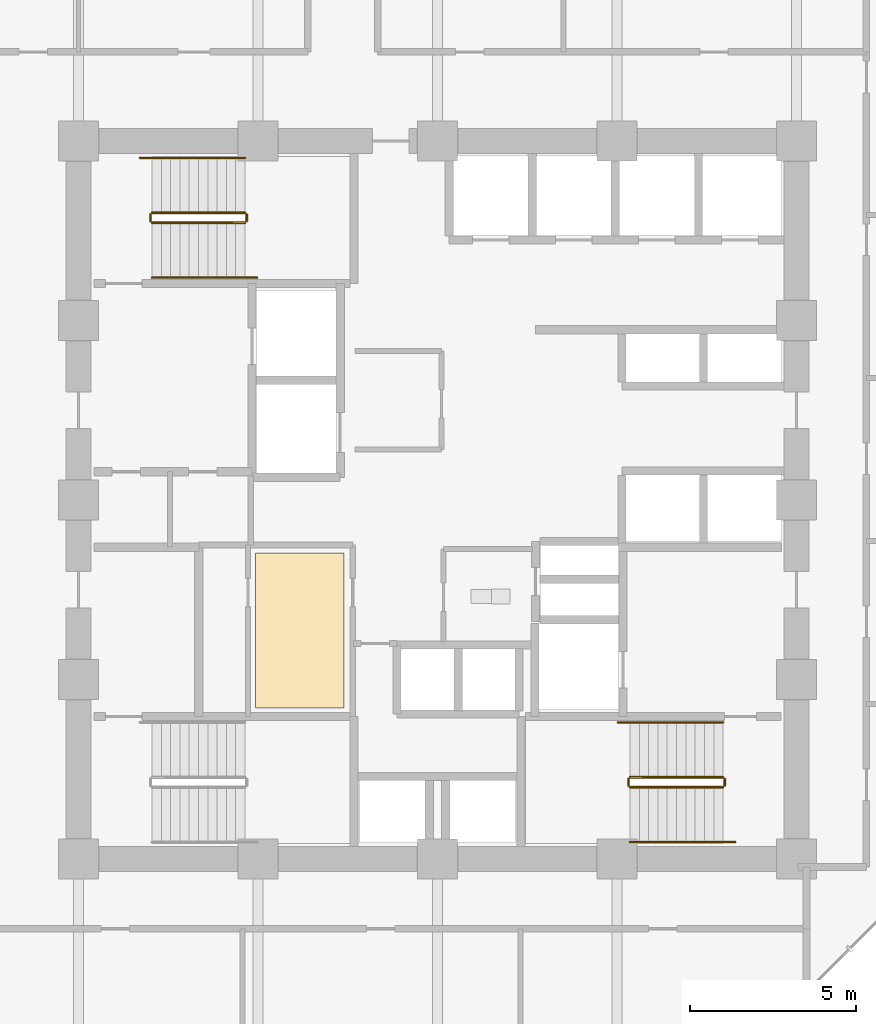
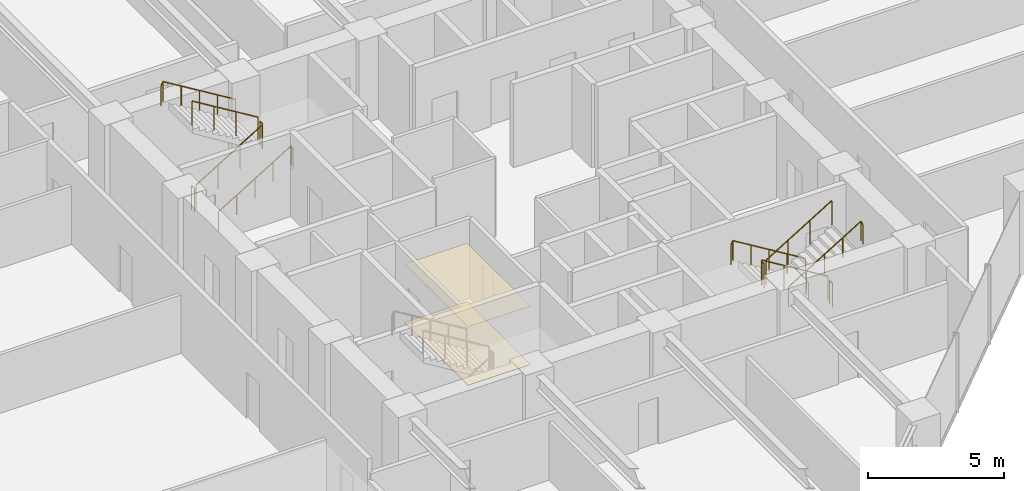
# One storey, part 25 of 26: 12 railings, 2 coverings.
"""IFC4 building model written with IfcOpenShell, lengths in metres."""

from ifc_helpers import new_model, si_unit, direction, frame, origin, origin_2d, place, context, subcontext, project, spatial, polyline, circle, outline, extrude, material, layer, layer_set, type_object, element, save


model = new_model("IFC4")

# Units and contexts
model_context = context("Model", 3, precision=1e-05, world=origin(), true_north=direction((0.0, 1.0)))
body_context = subcontext(model_context, "Body", "Model", "MODEL_VIEW")
ifc_project = project(units=[si_unit("LENGTHUNIT", "METRE"), si_unit("AREAUNIT", "SQUARE_METRE"), si_unit("VOLUMEUNIT", "CUBIC_METRE"), si_unit("PLANEANGLEUNIT", "RADIAN"), si_unit("MASSUNIT", "GRAM", prefix="KILO")], contexts=[model_context])

# Site, building, storey
site_placement = place(None, origin())
site = spatial("IfcSite", under=ifc_project, at=site_placement, CompositionType="ELEMENT")
building_placement = place(site_placement, origin())
building = spatial("IfcBuilding", under=site, at=building_placement, Name="Surkhivell Harbour Commons", CompositionType="ELEMENT")
storey_placement = place(building_placement, frame((0.0, 0.0, 71.25)))
storey = spatial("IfcBuildingStorey", under=building, at=storey_placement, Name="L18", CompositionType="ELEMENT", Elevation=71.25)

# Coverings
ifc_material_1 = material(Name="Perforated acoustic mineral-fibre ceiling tile", Category="other")
ifc_layer_1 = layer(ifc_material_1, 0.02490234375)
ifc_layer_set_1 = layer_set([ifc_layer_1], Name="Perforated acoustic mineral-fibre ceiling tile")
covering_type_1 = type_object("IfcCoveringType", Name="COV-CEIL-AC", PredefinedType="CEILING", material=ifc_layer_set_1)
covering_1_placement = place(storey_placement, frame((0.0, 0.0, 2.617919921875)))
element("IfcCovering", 1, at=covering_1_placement, inside=storey, type_object=covering_type_1, Name="L18 Suspended Acoustic Ceiling 1", PredefinedType="CEILING", context=body_context, shape_type="SweptSolid", body=[
    extrude(outline(polyline([(-5.47998046875, -6.260009765625), (-2.820068359375, -6.260009765625), (-2.820068359375, -1.60009765625), (-5.47998046875, -1.60009765625), (-5.47998046875, -6.260009765625)])), origin(), (0.0, 0.0, 1.0), 0.025146484375),
])
ifc_material_2 = material(Name="Engineered acoustic oak timber flooring", Category="wood")
ifc_layer_2 = layer(ifc_material_2, 0.02001953125)
ifc_layer_set_2 = layer_set([ifc_layer_2], Name="Engineered acoustic oak timber flooring")
covering_type_2 = type_object("IfcCoveringType", Name="COV-FLR-TIM", PredefinedType="FLOORING", material=ifc_layer_set_2)
covering_2_placement = place(storey_placement, origin())
element("IfcCovering", 2, at=covering_2_placement, inside=storey, type_object=covering_type_2, Name="L18 Interior Floor Finish 1", PredefinedType="FLOORING", context=body_context, shape_type="SweptSolid", body=[
    extrude(outline(polyline([(-5.47998046875, -6.260009765625), (-2.820068359375, -6.260009765625), (-2.820068359375, -1.60009765625), (-5.47998046875, -1.60009765625), (-5.47998046875, -6.260009765625)])), origin(), (0.0, 0.0, 1.0), 0.02001953125),
])

# Railings
ifc_material_3 = material(Name="Galvanised and painted steel S355 guard rail", Category="steel")
railing_type_1 = type_object("IfcRailingType", Name="RAL-ST-GRD1100", PredefinedType="GUARDRAIL", material=ifc_material_3)
railing_1_placement = place(storey_placement, frame((-8.590087890625, 8.340087890625, 0.17041015625)))
element("IfcRailing", 3, at=railing_1_placement, inside=storey, type_object=railing_type_1, Name="L18 ST1 stair guard 1", PredefinedType="GUARDRAIL", context=body_context, shape_type="SweptSolid", body=[
    extrude(circle(Radius=0.02392578125, at=origin_2d()), frame((0.0, 0.0, 1.076171875), z_axis=(0.854169791009, 0.0, 0.51999420009), x_axis=(0.0, 1.0, 0.0)), (0.0, 0.0, 1.0), 3.278076171875),
    extrude(circle(Radius=0.02099609375, at=origin_2d()), origin(), (0.0, 0.0, 1.0), 1.052001953125),
    extrude(circle(Radius=0.02099609375, at=origin_2d()), frame((0.933349609375, 0.0, 0.568115234375)), (0.0, 0.0, 1.0), 1.052001953125),
    extrude(circle(Radius=0.02099609375, at=origin_2d()), frame((1.86669921875, 0.0, 1.136474609375)), (0.0, 0.0, 1.0), 1.052001953125),
    extrude(circle(Radius=0.02099609375, at=origin_2d()), frame((2.800048828125, 0.0, 1.70458984375)), (0.0, 0.0, 1.0), 1.052001953125),
])
railing_2_placement = place(storey_placement, frame((-5.739990234375, 8.389892578125, 1.875)))
element("IfcRailing", 4, at=railing_2_placement, inside=storey, type_object=railing_type_1, Name="L18 ST1 stair guard 2", PredefinedType="GUARDRAIL", context=body_context, shape_type="SweptSolid", body=[
    extrude(circle(Radius=0.02392578125, at=origin_2d()), frame((0.0, 0.0, 1.076171875), z_axis=(0.0, 1.0, 0.0), x_axis=(-1.0, 0.0, 0.0)), (0.0, 0.0, 1.0), 0.2001953125),
    extrude(circle(Radius=0.02099609375, at=origin_2d()), origin(), (0.0, 0.0, 1.0), 1.052001953125),
    extrude(circle(Radius=0.02099609375, at=origin_2d()), frame((0.0, 0.2001953125, 0.0)), (0.0, 0.0, 1.0), 1.052001953125),
])
railing_3_placement = place(storey_placement, frame((-5.7900390625, 8.639892578125, 2.04541015625)))
element("IfcRailing", 5, at=railing_3_placement, inside=storey, type_object=railing_type_1, Name="L18 ST1 stair guard 3", PredefinedType="GUARDRAIL", context=body_context, shape_type="SweptSolid", body=[
    extrude(circle(Radius=0.02392578125, at=origin_2d()), frame((0.0, 0.0, 1.076171875), z_axis=(-0.854169791009, 0.0, 0.51999420009), x_axis=(0.0, -1.0, 0.0)), (0.0, 0.0, 1.0), 3.278076171875),
    extrude(circle(Radius=0.02099609375, at=origin_2d()), origin(), (0.0, 0.0, 1.0), 1.052001953125),
    extrude(circle(Radius=0.02099609375, at=origin_2d()), frame((-0.933349609375, 0.0, 0.568115234375)), (0.0, 0.0, 1.0), 1.052001953125),
    extrude(circle(Radius=0.02099609375, at=origin_2d()), frame((-1.86669921875, 0.0, 1.136474609375)), (0.0, 0.0, 1.0), 1.052001953125),
    extrude(circle(Radius=0.02099609375, at=origin_2d()), frame((-2.800048828125, 0.0, 1.70458984375)), (0.0, 0.0, 1.0), 1.052001953125),
])
railing_4_placement = place(storey_placement, frame((-8.639892578125, 8.389892578125, 0.0)))
element("IfcRailing", 6, at=railing_4_placement, inside=storey, type_object=railing_type_1, Name="L18 ST1 stair guard 4", PredefinedType="GUARDRAIL", context=body_context, shape_type="SweptSolid", body=[
    extrude(circle(Radius=0.02392578125, at=origin_2d()), frame((0.0, 0.0, 1.076171875), z_axis=(0.0, 1.0, 0.0), x_axis=(-1.0, 0.0, 0.0)), (0.0, 0.0, 1.0), 0.2001953125),
    extrude(circle(Radius=0.02099609375, at=origin_2d()), origin(), (0.0, 0.0, 1.0), 1.052001953125),
    extrude(circle(Radius=0.02099609375, at=origin_2d()), frame((0.0, 0.2001953125, 0.0)), (0.0, 0.0, 1.0), 1.052001953125),
])
railing_5_placement = place(storey_placement, frame((8.590087890625, -8.340087890625, 0.17041015625)))
element("IfcRailing", 7, at=railing_5_placement, inside=storey, type_object=railing_type_1, Name="L18 ST2 stair guard 1", PredefinedType="GUARDRAIL", context=body_context, shape_type="SweptSolid", body=[
    extrude(circle(Radius=0.02392578125, at=origin_2d()), frame((0.0, 0.0, 1.076171875), z_axis=(-0.854169791009, 0.0, 0.51999420009), x_axis=(0.0, -1.0, 0.0)), (0.0, 0.0, 1.0), 3.278076171875),
    extrude(circle(Radius=0.02099609375, at=origin_2d()), origin(), (0.0, 0.0, 1.0), 1.052001953125),
    extrude(circle(Radius=0.02099609375, at=origin_2d()), frame((-0.933349609375, 0.0, 0.568115234375)), (0.0, 0.0, 1.0), 1.052001953125),
    extrude(circle(Radius=0.02099609375, at=origin_2d()), frame((-1.86669921875, 0.0, 1.136474609375)), (0.0, 0.0, 1.0), 1.052001953125),
    extrude(circle(Radius=0.02099609375, at=origin_2d()), frame((-2.800048828125, 0.0, 1.70458984375)), (0.0, 0.0, 1.0), 1.052001953125),
])
railing_6_placement = place(storey_placement, frame((5.739990234375, -8.389892578125, 1.875)))
element("IfcRailing", 8, at=railing_6_placement, inside=storey, type_object=railing_type_1, Name="L18 ST2 stair guard 2", PredefinedType="GUARDRAIL", context=body_context, shape_type="SweptSolid", body=[
    extrude(circle(Radius=0.02392578125, at=origin_2d()), frame((0.0, 0.0, 1.076171875), z_axis=(0.0, -1.0, 0.0), x_axis=(1.0, 0.0, 0.0)), (0.0, 0.0, 1.0), 0.2001953125),
    extrude(circle(Radius=0.02099609375, at=origin_2d()), origin(), (0.0, 0.0, 1.0), 1.052001953125),
    extrude(circle(Radius=0.02099609375, at=origin_2d()), frame((0.0, -0.2001953125, 0.0)), (0.0, 0.0, 1.0), 1.052001953125),
])
railing_7_placement = place(storey_placement, frame((5.7900390625, -8.639892578125, 2.04541015625)))
element("IfcRailing", 9, at=railing_7_placement, inside=storey, type_object=railing_type_1, Name="L18 ST2 stair guard 3", PredefinedType="GUARDRAIL", context=body_context, shape_type="SweptSolid", body=[
    extrude(circle(Radius=0.02392578125, at=origin_2d()), frame((0.0, 0.0, 1.076171875), z_axis=(0.854169791009, 0.0, 0.51999420009), x_axis=(0.0, 1.0, 0.0)), (0.0, 0.0, 1.0), 3.278076171875),
    extrude(circle(Radius=0.02099609375, at=origin_2d()), origin(), (0.0, 0.0, 1.0), 1.052001953125),
    extrude(circle(Radius=0.02099609375, at=origin_2d()), frame((0.933349609375, 0.0, 0.568115234375)), (0.0, 0.0, 1.0), 1.052001953125),
    extrude(circle(Radius=0.02099609375, at=origin_2d()), frame((1.86669921875, 0.0, 1.136474609375)), (0.0, 0.0, 1.0), 1.052001953125),
    extrude(circle(Radius=0.02099609375, at=origin_2d()), frame((2.800048828125, 0.0, 1.70458984375)), (0.0, 0.0, 1.0), 1.052001953125),
])
railing_8_placement = place(storey_placement, frame((8.639892578125, -8.389892578125, 0.0)))
element("IfcRailing", 10, at=railing_8_placement, inside=storey, type_object=railing_type_1, Name="L18 ST2 stair guard 4", PredefinedType="GUARDRAIL", context=body_context, shape_type="SweptSolid", body=[
    extrude(circle(Radius=0.02392578125, at=origin_2d()), frame((0.0, 0.0, 1.076171875), z_axis=(0.0, -1.0, 0.0), x_axis=(1.0, 0.0, 0.0)), (0.0, 0.0, 1.0), 0.2001953125),
    extrude(circle(Radius=0.02099609375, at=origin_2d()), origin(), (0.0, 0.0, 1.0), 1.052001953125),
    extrude(circle(Radius=0.02099609375, at=origin_2d()), frame((0.0, -0.2001953125, 0.0)), (0.0, 0.0, 1.0), 1.052001953125),
])
ifc_material_4 = material(Name="Brushed stainless steel S355 handrail", Category="steel")
railing_type_2 = type_object("IfcRailingType", Name="RAL-ST-HND900", PredefinedType="HANDRAIL", material=ifc_material_4)
railing_9_placement = place(storey_placement, frame((-8.590087890625, 6.68994140625, 0.17041015625)))
element("IfcRailing", 11, at=railing_9_placement, inside=storey, type_object=railing_type_2, Name="L18 ST1 stair handrail 1", PredefinedType="HANDRAIL", context=body_context, shape_type="SweptSolid", body=[
    extrude(circle(Radius=0.02392578125, at=origin_2d()), frame((0.0, 0.0, 0.8759765625), z_axis=(0.854177636135, 0.0, 0.519981313056), x_axis=(0.0, 1.0, 0.0)), (0.0, 0.0, 1.0), 3.60595703125),
    extrude(circle(Radius=0.02392578125, at=origin_2d()), frame((3.080078125, 0.0, 2.7509765625), z_axis=(0.425297416671, 0.0, -0.905053648892), x_axis=(0.0, 1.0, 0.0)), (0.0, 0.0, 1.0), 0.188232421875),
    extrude(circle(Radius=0.02099609375, at=origin_2d()), origin(), (0.0, 0.0, 1.0), 0.851806640625),
    extrude(circle(Radius=0.02099609375, at=origin_2d()), frame((0.77001953125, 0.0, 0.46875)), (0.0, 0.0, 1.0), 0.851806640625),
    extrude(circle(Radius=0.02099609375, at=origin_2d()), frame((1.5400390625, 0.0, 0.9375)), (0.0, 0.0, 1.0), 0.851806640625),
    extrude(circle(Radius=0.02099609375, at=origin_2d()), frame((2.31005859375, 0.0, 1.40625)), (0.0, 0.0, 1.0), 0.851806640625),
    extrude(circle(Radius=0.02099609375, at=origin_2d()), frame((3.080078125, 0.0, 1.875)), (0.0, 0.0, 1.0), 0.851806640625),
    extrude(circle(Radius=0.02099609375, at=origin_2d()), frame((3.16015625, 0.0, 1.70458984375)), (0.0, 0.0, 1.0), 0.851806640625),
])
railing_10_placement = place(storey_placement, frame((-5.7900390625, 10.2900390625, 2.04541015625)))
element("IfcRailing", 12, at=railing_10_placement, inside=storey, type_object=railing_type_2, Name="L18 ST1 stair handrail 2", PredefinedType="HANDRAIL", context=body_context, shape_type="SweptSolid", body=[
    extrude(circle(Radius=0.02392578125, at=origin_2d()), frame((0.0, 0.0, 0.8759765625), z_axis=(-0.854177636135, 0.0, 0.519981313056), x_axis=(0.0, -1.0, 0.0)), (0.0, 0.0, 1.0), 3.60595703125),
    extrude(circle(Radius=0.02392578125, at=origin_2d()), frame((-3.080078125, 0.0, 2.7509765625), z_axis=(-0.424234432967, 0.0, -0.905552398199), x_axis=(0.0, -1.0, 0.0)), (0.0, 0.0, 1.0), 0.188232421875),
    extrude(circle(Radius=0.02099609375, at=origin_2d()), origin(), (0.0, 0.0, 1.0), 0.851806640625),
    extrude(circle(Radius=0.02099609375, at=origin_2d()), frame((-0.77001953125, 0.0, 0.46875)), (0.0, 0.0, 1.0), 0.851806640625),
    extrude(circle(Radius=0.02099609375, at=origin_2d()), frame((-1.5400390625, 0.0, 0.9375)), (0.0, 0.0, 1.0), 0.851806640625),
    extrude(circle(Radius=0.02099609375, at=origin_2d()), frame((-2.31005859375, 0.0, 1.40625)), (0.0, 0.0, 1.0), 0.851806640625),
    extrude(circle(Radius=0.02099609375, at=origin_2d()), frame((-3.080078125, 0.0, 1.875)), (0.0, 0.0, 1.0), 0.851806640625),
    extrude(circle(Radius=0.02099609375, at=origin_2d()), frame((-3.159912109375, 0.0, 1.70458984375)), (0.0, 0.0, 1.0), 0.851806640625),
])
railing_11_placement = place(storey_placement, frame((8.590087890625, -6.68994140625, 0.17041015625)))
element("IfcRailing", 13, at=railing_11_placement, inside=storey, type_object=railing_type_2, Name="L18 ST2 stair handrail 1", PredefinedType="HANDRAIL", context=body_context, shape_type="SweptSolid", body=[
    extrude(circle(Radius=0.02392578125, at=origin_2d()), frame((0.0, 0.0, 0.8759765625), z_axis=(-0.854177636135, 0.0, 0.519981313056), x_axis=(0.0, -1.0, 0.0)), (0.0, 0.0, 1.0), 3.60595703125),
    extrude(circle(Radius=0.02392578125, at=origin_2d()), frame((-3.080078125, 0.0, 2.7509765625), z_axis=(-0.425297416671, 0.0, -0.905053648892), x_axis=(0.0, -1.0, 0.0)), (0.0, 0.0, 1.0), 0.188232421875),
    extrude(circle(Radius=0.02099609375, at=origin_2d()), origin(), (0.0, 0.0, 1.0), 0.851806640625),
    extrude(circle(Radius=0.02099609375, at=origin_2d()), frame((-0.77001953125, 0.0, 0.46875)), (0.0, 0.0, 1.0), 0.851806640625),
    extrude(circle(Radius=0.02099609375, at=origin_2d()), frame((-1.5400390625, 0.0, 0.9375)), (0.0, 0.0, 1.0), 0.851806640625),
    extrude(circle(Radius=0.02099609375, at=origin_2d()), frame((-2.31005859375, 0.0, 1.40625)), (0.0, 0.0, 1.0), 0.851806640625),
    extrude(circle(Radius=0.02099609375, at=origin_2d()), frame((-3.080078125, 0.0, 1.875)), (0.0, 0.0, 1.0), 0.851806640625),
    extrude(circle(Radius=0.02099609375, at=origin_2d()), frame((-3.16015625, 0.0, 1.70458984375)), (0.0, 0.0, 1.0), 0.851806640625),
])
railing_12_placement = place(storey_placement, frame((5.7900390625, -10.2900390625, 2.04541015625)))
element("IfcRailing", 14, at=railing_12_placement, inside=storey, type_object=railing_type_2, Name="L18 ST2 stair handrail 2", PredefinedType="HANDRAIL", context=body_context, shape_type="SweptSolid", body=[
    extrude(circle(Radius=0.02392578125, at=origin_2d()), frame((0.0, 0.0, 0.8759765625), z_axis=(0.854177636135, 0.0, 0.519981313056), x_axis=(0.0, 1.0, 0.0)), (0.0, 0.0, 1.0), 3.60595703125),
    extrude(circle(Radius=0.02392578125, at=origin_2d()), frame((3.080078125, 0.0, 2.7509765625), z_axis=(0.424234432967, 0.0, -0.905552398199), x_axis=(0.0, 1.0, 0.0)), (0.0, 0.0, 1.0), 0.188232421875),
    extrude(circle(Radius=0.02099609375, at=origin_2d()), origin(), (0.0, 0.0, 1.0), 0.851806640625),
    extrude(circle(Radius=0.02099609375, at=origin_2d()), frame((0.77001953125, 0.0, 0.46875)), (0.0, 0.0, 1.0), 0.851806640625),
    extrude(circle(Radius=0.02099609375, at=origin_2d()), frame((1.5400390625, 0.0, 0.9375)), (0.0, 0.0, 1.0), 0.851806640625),
    extrude(circle(Radius=0.02099609375, at=origin_2d()), frame((2.31005859375, 0.0, 1.40625)), (0.0, 0.0, 1.0), 0.851806640625),
    extrude(circle(Radius=0.02099609375, at=origin_2d()), frame((3.080078125, 0.0, 1.875)), (0.0, 0.0, 1.0), 0.851806640625),
    extrude(circle(Radius=0.02099609375, at=origin_2d()), frame((3.159912109375, 0.0, 1.70458984375)), (0.0, 0.0, 1.0), 0.851806640625),
])

save(model, "model.ifc")
